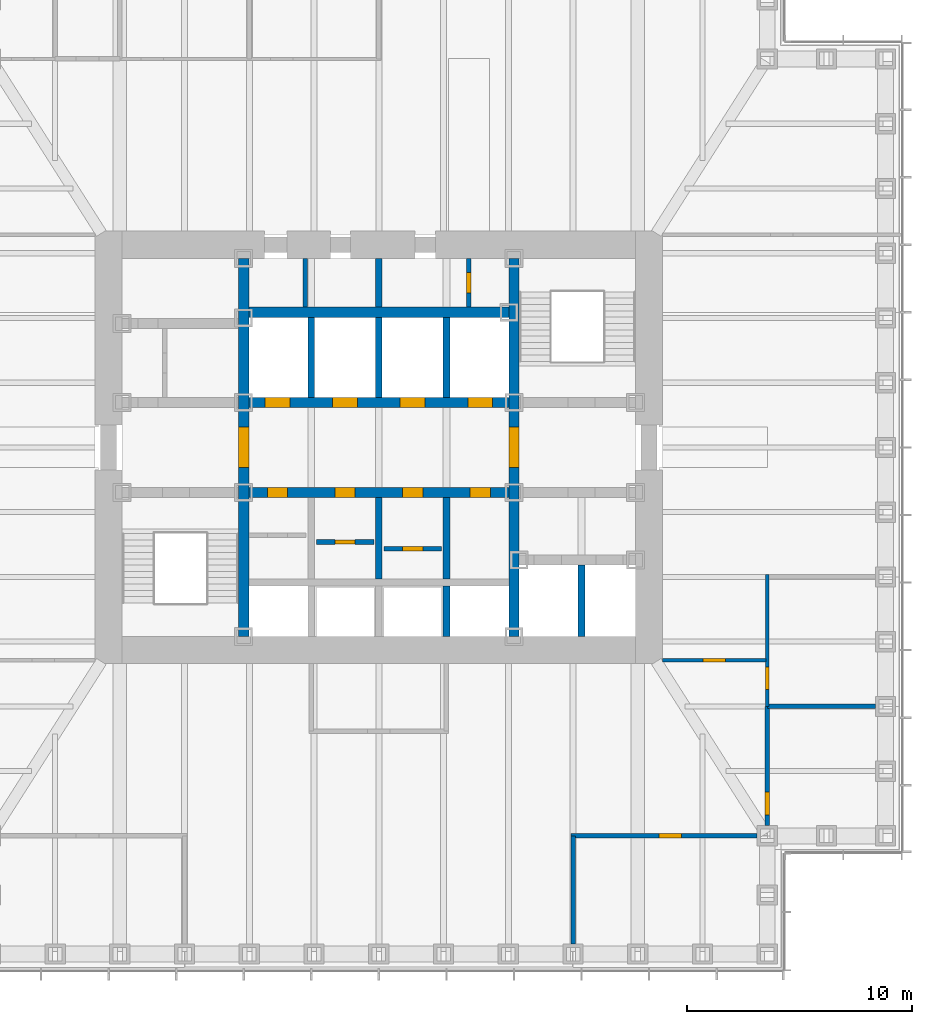
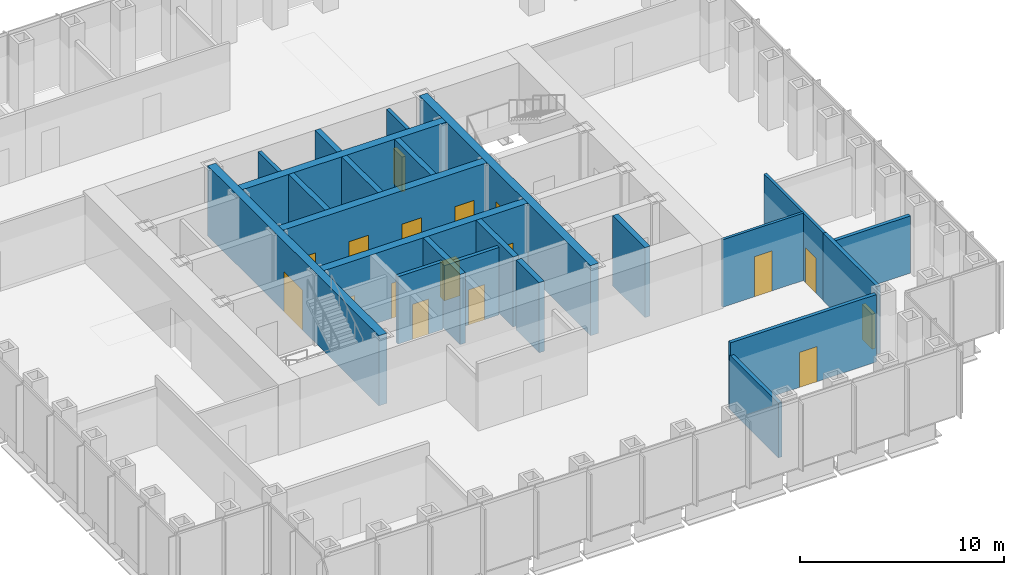
# One storey, part 9 of 16: 23 walls, 17 doors, 17 openings.
"""IFC4 building model written with IfcOpenShell, lengths in metres."""

from ifc_helpers import new_model, si_unit, direction, frame, frame_2d, origin, place, context, subcontext, project, spatial, rectangle, extrude, material, layer, layer_set, type_object, element, fill, save


model = new_model("IFC4")

# Units and contexts
model_context = context("Model", 3, precision=1e-05, world=origin(), true_north=direction((0.0, 1.0)))
body_context = subcontext(model_context, "Body", "Model", "MODEL_VIEW")
ifc_project = project(units=[si_unit("LENGTHUNIT", "METRE"), si_unit("AREAUNIT", "SQUARE_METRE"), si_unit("VOLUMEUNIT", "CUBIC_METRE"), si_unit("PLANEANGLEUNIT", "RADIAN"), si_unit("MASSUNIT", "GRAM", prefix="KILO")], contexts=[model_context])

# Site, building, storey
site_placement = place(None, origin())
site = spatial("IfcSite", under=ifc_project, at=site_placement, CompositionType="ELEMENT")
building_placement = place(site_placement, origin())
building = spatial("IfcBuilding", under=site, at=building_placement, Name="Daluyong Arena Tower", CompositionType="ELEMENT")
storey_placement = place(building_placement, frame((0.0, 0.0, 133.300048828125)))
storey = spatial("IfcBuildingStorey", under=building, at=storey_placement, Name="L29", CompositionType="ELEMENT", Elevation=133.300048828125)

# Wall, opening, door
ifc_material_1 = material(Name="Concrete fc' 45 MPa", Category="concrete")
ifc_layer_1 = layer(ifc_material_1, 0.449951171875)
ifc_layer_set_1 = layer_set([ifc_layer_1], Name="Concrete fc' 45 MPa")
wall_type_1 = type_object("IfcWallType", Name="Core inner wall 450", PredefinedType="SHEAR", material=ifc_layer_set_1)
wall_1_placement = place(storey_placement, frame((50.0, 71.60009765625, 0.0), z_axis=(0.0, 0.0, 1.0), x_axis=(0.0, 1.0, 0.0)))
wall_1 = element("IfcWall", 1, at=wall_1_placement, inside=storey, type_object=wall_type_1, Name="core inner wall at L29", PredefinedType="SHEAR", context=body_context, shape_type="SweptSolid", body=[
    extrude(rectangle(XDim=16.7998046875, YDim=0.449951171875, at=frame_2d((8.39990234375, 0.0))), origin(), (0.0, 0.0, 1.0), 4.199951171875),
])
opening_1_placement = place(wall_1_placement, frame((7.5, 0.0, 0.0)))
opening_1 = element("IfcOpeningElement", 2, at=opening_1_placement, cuts=wall_1, Name="Opening 29019", PredefinedType="OPENING", context=body_context, shape_type="SweptSolid", body=[
    extrude(rectangle(XDim=1.800048828125, YDim=2.39990234375, at=frame_2d((0.89990234375, 1.199951171875))), frame((0.0, 0.23486328125, 0.0), z_axis=(0.0, -1.0, 0.0), x_axis=(1.0, 0.0, 0.0)), (0.0, 0.0, 1.0), 0.469970703125),
])
ifc_material_2 = material(Name="Steel door, fire rated", Category="steel")
door_type_1 = type_object("IfcDoorType", Name="Lift lobby opening door 1800", OperationType="DOUBLE_DOOR_SINGLE_SWING", PredefinedType="DOOR", material=ifc_material_2)
door_1_placement = place(opening_1_placement, origin())
door_1 = element("IfcDoor", 3, at=door_1_placement, inside=storey, type_object=door_type_1, Name="lift lobby door west 29019", OperationType="DOUBLE_DOOR_SINGLE_SWING", OverallHeight=2.39990234375, OverallWidth=1.800048828125, PredefinedType="DOOR", context=body_context, shape_type="SweptSolid", body=[
    extrude(rectangle(XDim=1.800048828125, YDim=2.39990234375, at=frame_2d((0.89990234375, 1.199951171875))), frame((0.0, 0.224609375, 0.0), z_axis=(0.0, -1.0, 0.0), x_axis=(1.0, 0.0, 0.0)), (0.0, 0.0, 1.0), 0.449462890625),
])
fill(opening_1, door_1)

wall_2_placement = place(storey_placement, frame((62.0, 71.60009765625, 0.0), z_axis=(0.0, 0.0, 1.0), x_axis=(0.0, 1.0, 0.0)))
wall_2 = element("IfcWall", 4, at=wall_2_placement, inside=storey, type_object=wall_type_1, Name="core inner wall at L29", PredefinedType="SHEAR", context=body_context, shape_type="SweptSolid", body=[
    extrude(rectangle(XDim=16.7998046875, YDim=0.449951171875, at=frame_2d((8.39990234375, 0.0))), origin(), (0.0, 0.0, 1.0), 4.199951171875),
])
opening_2_placement = place(wall_2_placement, frame((7.5, 0.0, 0.0)))
opening_2 = element("IfcOpeningElement", 5, at=opening_2_placement, cuts=wall_2, Name="Opening 29020", PredefinedType="OPENING", context=body_context, shape_type="SweptSolid", body=[
    extrude(rectangle(XDim=1.800048828125, YDim=2.39990234375, at=frame_2d((0.89990234375, 1.199951171875))), frame((0.0, 0.23486328125, 0.0), z_axis=(0.0, -1.0, 0.0), x_axis=(1.0, 0.0, 0.0)), (0.0, 0.0, 1.0), 0.469970703125),
])
door_2_placement = place(opening_2_placement, origin())
door_2 = element("IfcDoor", 6, at=door_2_placement, inside=storey, type_object=door_type_1, Name="lift lobby door east 29020", OperationType="DOUBLE_DOOR_SINGLE_SWING", OverallHeight=2.39990234375, OverallWidth=1.800048828125, PredefinedType="DOOR", context=body_context, shape_type="SweptSolid", body=[
    extrude(rectangle(XDim=1.800048828125, YDim=2.39990234375, at=frame_2d((0.89990234375, 1.199951171875))), frame((0.0, 0.224609375, 0.0), z_axis=(0.0, -1.0, 0.0), x_axis=(1.0, 0.0, 0.0)), (0.0, 0.0, 1.0), 0.449462890625),
])
fill(opening_2, door_2)

# Wall, openings, doors
wall_3_placement = place(storey_placement, frame((50.22509765625, 78.0, 0.0), z_axis=(0.0, 0.0, 1.0), x_axis=(1.0, 0.0, 0.0)))
wall_3 = element("IfcWall", 7, at=wall_3_placement, inside=storey, type_object=wall_type_1, Name="core inner wall at L29", PredefinedType="SHEAR", context=body_context, shape_type="SweptSolid", body=[
    extrude(rectangle(XDim=11.5498046875, YDim=0.449951171875, at=frame_2d((5.77490234375, 0.0))), origin(), (0.0, 0.0, 1.0), 4.199951171875),
])
opening_3_placement = place(wall_3_placement, frame((0.824951171875, 0.0, 0.0)))
opening_3 = element("IfcOpeningElement", 8, at=opening_3_placement, cuts=wall_3, Name="Opening 29008", PredefinedType="OPENING", context=body_context, shape_type="SweptSolid", body=[
    extrude(rectangle(XDim=0.89990234375, YDim=2.10009765625, at=frame_2d((0.449951171875, 1.050048828125))), frame((0.0, 0.23486328125, 0.0), z_axis=(0.0, -1.0, 0.0), x_axis=(1.0, 0.0, 0.0)), (0.0, 0.0, 1.0), 0.469970703125),
])
opening_4_placement = place(wall_3_placement, frame((3.824951171875, 0.0, 0.0)))
opening_4 = element("IfcOpeningElement", 9, at=opening_4_placement, cuts=wall_3, Name="Opening 29010", PredefinedType="OPENING", context=body_context, shape_type="SweptSolid", body=[
    extrude(rectangle(XDim=0.89990234375, YDim=2.10009765625, at=frame_2d((0.449951171875, 1.050048828125))), frame((0.0, 0.23486328125, 0.0), z_axis=(0.0, -1.0, 0.0), x_axis=(1.0, 0.0, 0.0)), (0.0, 0.0, 1.0), 0.469970703125),
])
opening_5_placement = place(wall_3_placement, frame((6.824951171875, 0.0, 0.0)))
opening_5 = element("IfcOpeningElement", 10, at=opening_5_placement, cuts=wall_3, Name="Opening 29012", PredefinedType="OPENING", context=body_context, shape_type="SweptSolid", body=[
    extrude(rectangle(XDim=0.89990234375, YDim=2.10009765625, at=frame_2d((0.449951171875, 1.050048828125))), frame((0.0, 0.23486328125, 0.0), z_axis=(0.0, -1.0, 0.0), x_axis=(1.0, 0.0, 0.0)), (0.0, 0.0, 1.0), 0.469970703125),
])
opening_6_placement = place(wall_3_placement, frame((9.824951171875, 0.0, 0.0)))
opening_6 = element("IfcOpeningElement", 11, at=opening_6_placement, cuts=wall_3, Name="Opening 29014", PredefinedType="OPENING", context=body_context, shape_type="SweptSolid", body=[
    extrude(rectangle(XDim=0.89990234375, YDim=2.10009765625, at=frame_2d((0.449951171875, 1.050048828125))), frame((0.0, 0.23486328125, 0.0), z_axis=(0.0, -1.0, 0.0), x_axis=(1.0, 0.0, 0.0)), (0.0, 0.0, 1.0), 0.469970703125),
])
ifc_material_3 = material(Name="Steel door, fire rated", Category="steel")
door_type_2 = type_object("IfcDoorType", Name="Core room door 900", OperationType="SINGLE_SWING_LEFT", PredefinedType="DOOR", material=ifc_material_3)
door_3_placement = place(opening_6_placement, origin())
door_3 = element("IfcDoor", 12, at=door_3_placement, inside=storey, type_object=door_type_2, Name="mail room door 29014", OperationType="SINGLE_SWING_LEFT", OverallHeight=2.10009765625, OverallWidth=0.89990234375, PredefinedType="DOOR", context=body_context, shape_type="SweptSolid", body=[
    extrude(rectangle(XDim=0.89990234375, YDim=2.10009765625, at=frame_2d((0.449951171875, 1.050048828125))), frame((0.0, 0.224609375, 0.0), z_axis=(0.0, -1.0, 0.0), x_axis=(1.0, 0.0, 0.0)), (0.0, 0.0, 1.0), 0.449462890625),
])
fill(opening_6, door_3)
ifc_material_4 = material(Name="Steel door, fire rated", Category="steel")
door_type_3 = type_object("IfcDoorType", Name="Core store door 900", OperationType="SINGLE_SWING_LEFT", PredefinedType="DOOR", material=ifc_material_4)
door_4_placement = place(opening_3_placement, origin())
door_4 = element("IfcDoor", 13, at=door_4_placement, inside=storey, type_object=door_type_3, Name="furniture store door 29008", OperationType="SINGLE_SWING_LEFT", OverallHeight=2.10009765625, OverallWidth=0.89990234375, PredefinedType="DOOR", context=body_context, shape_type="SweptSolid", body=[
    extrude(rectangle(XDim=0.89990234375, YDim=2.10009765625, at=frame_2d((0.449951171875, 1.050048828125))), frame((0.0, 0.224609375, 0.0), z_axis=(0.0, -1.0, 0.0), x_axis=(1.0, 0.0, 0.0)), (0.0, 0.0, 1.0), 0.449462890625),
])
fill(opening_3, door_4)
door_5_placement = place(opening_4_placement, origin())
door_5 = element("IfcDoor", 14, at=door_5_placement, inside=storey, type_object=door_type_3, Name="facilities store door 29010", OperationType="SINGLE_SWING_LEFT", OverallHeight=2.10009765625, OverallWidth=0.89990234375, PredefinedType="DOOR", context=body_context, shape_type="SweptSolid", body=[
    extrude(rectangle(XDim=0.89990234375, YDim=2.10009765625, at=frame_2d((0.449951171875, 1.050048828125))), frame((0.0, 0.224609375, 0.0), z_axis=(0.0, -1.0, 0.0), x_axis=(1.0, 0.0, 0.0)), (0.0, 0.0, 1.0), 0.449462890625),
])
fill(opening_4, door_5)
door_6_placement = place(opening_5_placement, origin())
door_6 = element("IfcDoor", 15, at=door_6_placement, inside=storey, type_object=door_type_3, Name="stationery store door 29012", OperationType="SINGLE_SWING_LEFT", OverallHeight=2.10009765625, OverallWidth=0.89990234375, PredefinedType="DOOR", context=body_context, shape_type="SweptSolid", body=[
    extrude(rectangle(XDim=0.89990234375, YDim=2.10009765625, at=frame_2d((0.449951171875, 1.050048828125))), frame((0.0, 0.224609375, 0.0), z_axis=(0.0, -1.0, 0.0), x_axis=(1.0, 0.0, 0.0)), (0.0, 0.0, 1.0), 0.449462890625),
])
fill(opening_5, door_6)

wall_4_placement = place(storey_placement, frame((50.22509765625, 82.0, 0.0), z_axis=(0.0, 0.0, 1.0), x_axis=(1.0, 0.0, 0.0)))
wall_4 = element("IfcWall", 16, at=wall_4_placement, inside=storey, type_object=wall_type_1, Name="core inner wall at L29", PredefinedType="SHEAR", context=body_context, shape_type="SweptSolid", body=[
    extrude(rectangle(XDim=11.5498046875, YDim=0.449951171875, at=frame_2d((5.77490234375, 0.0))), origin(), (0.0, 0.0, 1.0), 4.199951171875),
])
opening_7_placement = place(wall_4_placement, frame((0.72509765625, 0.0, 0.0)))
opening_7 = element("IfcOpeningElement", 17, at=opening_7_placement, cuts=wall_4, Name="Opening 29022", PredefinedType="OPENING", context=body_context, shape_type="SweptSolid", body=[
    extrude(rectangle(XDim=1.10009765625, YDim=2.199951171875, at=frame_2d((0.550048828125, 1.10009765625))), frame((0.0, 0.23486328125, 0.0), z_axis=(0.0, -1.0, 0.0), x_axis=(1.0, 0.0, 0.0)), (0.0, 0.0, 1.0), 0.469970703125),
])
opening_8_placement = place(wall_4_placement, frame((3.72509765625, 0.0, 0.0)))
opening_8 = element("IfcOpeningElement", 18, at=opening_8_placement, cuts=wall_4, Name="Opening 29023", PredefinedType="OPENING", context=body_context, shape_type="SweptSolid", body=[
    extrude(rectangle(XDim=1.10009765625, YDim=2.199951171875, at=frame_2d((0.550048828125, 1.10009765625))), frame((0.0, 0.23486328125, 0.0), z_axis=(0.0, -1.0, 0.0), x_axis=(1.0, 0.0, 0.0)), (0.0, 0.0, 1.0), 0.469970703125),
])
opening_9_placement = place(wall_4_placement, frame((6.72509765625, 0.0, 0.0)))
opening_9 = element("IfcOpeningElement", 19, at=opening_9_placement, cuts=wall_4, Name="Opening 29024", PredefinedType="OPENING", context=body_context, shape_type="SweptSolid", body=[
    extrude(rectangle(XDim=1.10009765625, YDim=2.199951171875, at=frame_2d((0.550048828125, 1.10009765625))), frame((0.0, 0.23486328125, 0.0), z_axis=(0.0, -1.0, 0.0), x_axis=(1.0, 0.0, 0.0)), (0.0, 0.0, 1.0), 0.469970703125),
])
opening_10_placement = place(wall_4_placement, frame((9.72509765625, 0.0, 0.0)))
opening_10 = element("IfcOpeningElement", 20, at=opening_10_placement, cuts=wall_4, Name="Opening 29025", PredefinedType="OPENING", context=body_context, shape_type="SweptSolid", body=[
    extrude(rectangle(XDim=1.10009765625, YDim=2.199951171875, at=frame_2d((0.550048828125, 1.10009765625))), frame((0.0, 0.23486328125, 0.0), z_axis=(0.0, -1.0, 0.0), x_axis=(1.0, 0.0, 0.0)), (0.0, 0.0, 1.0), 0.469970703125),
])
ifc_material_5 = material(Name="Steel door, fire rated", Category="steel")
door_type_4 = type_object("IfcDoorType", Name="Lift landing door 1100", OperationType="SLIDING_TO_LEFT", PredefinedType="DOOR", material=ifc_material_5)
door_7_placement = place(opening_7_placement, origin())
door_7 = element("IfcDoor", 21, at=door_7_placement, inside=storey, type_object=door_type_4, Name="lift landing door B1 29022", OperationType="SLIDING_TO_LEFT", OverallHeight=2.199951171875, OverallWidth=1.10009765625, PredefinedType="DOOR", context=body_context, shape_type="SweptSolid", body=[
    extrude(rectangle(XDim=1.10009765625, YDim=2.199951171875, at=frame_2d((0.550048828125, 1.10009765625))), frame((0.0, 0.224609375, 0.0), z_axis=(0.0, -1.0, 0.0), x_axis=(1.0, 0.0, 0.0)), (0.0, 0.0, 1.0), 0.449462890625),
])
fill(opening_7, door_7)
door_8_placement = place(opening_8_placement, origin())
door_8 = element("IfcDoor", 22, at=door_8_placement, inside=storey, type_object=door_type_4, Name="lift landing door B2 29023", OperationType="SLIDING_TO_LEFT", OverallHeight=2.199951171875, OverallWidth=1.10009765625, PredefinedType="DOOR", context=body_context, shape_type="SweptSolid", body=[
    extrude(rectangle(XDim=1.10009765625, YDim=2.199951171875, at=frame_2d((0.550048828125, 1.10009765625))), frame((0.0, 0.224609375, 0.0), z_axis=(0.0, -1.0, 0.0), x_axis=(1.0, 0.0, 0.0)), (0.0, 0.0, 1.0), 0.449462890625),
])
fill(opening_8, door_8)
door_9_placement = place(opening_9_placement, origin())
door_9 = element("IfcDoor", 23, at=door_9_placement, inside=storey, type_object=door_type_4, Name="lift landing door B3 29024", OperationType="SLIDING_TO_LEFT", OverallHeight=2.199951171875, OverallWidth=1.10009765625, PredefinedType="DOOR", context=body_context, shape_type="SweptSolid", body=[
    extrude(rectangle(XDim=1.10009765625, YDim=2.199951171875, at=frame_2d((0.550048828125, 1.10009765625))), frame((0.0, 0.224609375, 0.0), z_axis=(0.0, -1.0, 0.0), x_axis=(1.0, 0.0, 0.0)), (0.0, 0.0, 1.0), 0.449462890625),
])
fill(opening_9, door_9)
door_10_placement = place(opening_10_placement, origin())
door_10 = element("IfcDoor", 24, at=door_10_placement, inside=storey, type_object=door_type_4, Name="lift landing door B4 29025", OperationType="SLIDING_TO_LEFT", OverallHeight=2.199951171875, OverallWidth=1.10009765625, PredefinedType="DOOR", context=body_context, shape_type="SweptSolid", body=[
    extrude(rectangle(XDim=1.10009765625, YDim=2.199951171875, at=frame_2d((0.550048828125, 1.10009765625))), frame((0.0, 0.224609375, 0.0), z_axis=(0.0, -1.0, 0.0), x_axis=(1.0, 0.0, 0.0)), (0.0, 0.0, 1.0), 0.449462890625),
])
fill(opening_10, door_10)

# Walls
wall_5_placement = place(storey_placement, frame((50.22509765625, 86.0, 0.0), z_axis=(0.0, 0.0, 1.0), x_axis=(1.0, 0.0, 0.0)))
element("IfcWall", 25, at=wall_5_placement, inside=storey, type_object=wall_type_1, Name="core inner wall at L29", PredefinedType="SHEAR", context=body_context, shape_type="SweptSolid", body=[
    extrude(rectangle(XDim=11.5498046875, YDim=0.449951171875, at=frame_2d((5.77490234375, 0.0))), origin(), (0.0, 0.0, 1.0), 4.199951171875),
])
ifc_material_6 = material(Name="Concrete block partition, fire rated", Category="concrete")
ifc_layer_2 = layer(ifc_material_6, 0.199951171875)
ifc_layer_set_2 = layer_set([ifc_layer_2], Name="Concrete block partition, fire rated")
wall_type_2 = type_object("IfcWallType", Name="Fire-rated partition 200", PredefinedType="PARTITIONING", material=ifc_layer_set_2)
wall_6_placement = place(storey_placement, frame((52.72509765625, 86.22509765625, 0.0), z_axis=(0.0, 0.0, 1.0), x_axis=(0.0, 1.0, 0.0)))
element("IfcWall", 26, at=wall_6_placement, inside=storey, type_object=wall_type_2, Name="core room partition at L29", PredefinedType="PARTITIONING", context=body_context, shape_type="SweptSolid", body=[
    extrude(rectangle(XDim=2.1748046875, YDim=0.199951171875, at=frame_2d((1.08740234375, 0.0))), origin(), (0.0, 0.0, 1.0), 4.0400390625),
])

# Wall, opening, door
wall_7_placement = place(storey_placement, frame((60.0, 86.22509765625, 0.0), z_axis=(0.0, 0.0, 1.0), x_axis=(0.0, 1.0, 0.0)))
wall_7 = element("IfcWall", 27, at=wall_7_placement, inside=storey, type_object=wall_type_2, Name="electrical riser enclosure at L29", PredefinedType="PARTITIONING", context=body_context, shape_type="SweptSolid", body=[
    extrude(rectangle(XDim=2.1748046875, YDim=0.199951171875, at=frame_2d((1.08740234375, 0.0))), origin(), (0.0, 0.0, 1.0), 4.0400390625),
])
opening_11_placement = place(wall_7_placement, frame((0.637451171875, 0.0, 0.0)))
opening_11 = element("IfcOpeningElement", 28, at=opening_11_placement, cuts=wall_7, Name="Opening 29007", PredefinedType="OPENING", context=body_context, shape_type="SweptSolid", body=[
    extrude(rectangle(XDim=0.89990234375, YDim=2.10009765625, at=frame_2d((0.449951171875, 1.050048828125))), frame((0.0, 0.10986328125, 0.0), z_axis=(0.0, -1.0, 0.0), x_axis=(1.0, 0.0, 0.0)), (0.0, 0.0, 1.0), 0.219970703125),
])
ifc_material_7 = material(Name="Steel door, fire rated", Category="steel")
door_type_5 = type_object("IfcDoorType", Name="Riser door 900", OperationType="SINGLE_SWING_LEFT", PredefinedType="DOOR", material=ifc_material_7)
door_11_placement = place(opening_11_placement, origin())
door_11 = element("IfcDoor", 29, at=door_11_placement, inside=storey, type_object=door_type_5, Name="riser door 29007", OperationType="SINGLE_SWING_LEFT", OverallHeight=2.10009765625, OverallWidth=0.89990234375, PredefinedType="DOOR", context=body_context, shape_type="SweptSolid", body=[
    extrude(rectangle(XDim=0.89990234375, YDim=2.10009765625, at=frame_2d((0.449951171875, 1.050048828125))), frame((0.0, 0.099609375, 0.0), z_axis=(0.0, -1.0, 0.0), x_axis=(1.0, 0.0, 0.0)), (0.0, 0.0, 1.0), 0.199462890625),
])
fill(opening_11, door_11)

wall_8_placement = place(storey_placement, frame((53.22509765625, 75.800048828125, 0.0), z_axis=(0.0, 0.0, 1.0), x_axis=(1.0, 0.0, 0.0)))
wall_8 = element("IfcWall", 30, at=wall_8_placement, inside=storey, type_object=wall_type_2, Name="back store partition at L29", PredefinedType="PARTITIONING", context=body_context, shape_type="SweptSolid", body=[
    extrude(rectangle(XDim=2.5498046875, YDim=0.199951171875, at=frame_2d((1.27490234375, 0.0))), origin(), (0.0, 0.0, 1.0), 4.0400390625),
])
opening_12_placement = place(wall_8_placement, frame((0.824951171875, 0.0, 0.0)))
opening_12 = element("IfcOpeningElement", 31, at=opening_12_placement, cuts=wall_8, Name="Opening 29011", PredefinedType="OPENING", context=body_context, shape_type="SweptSolid", body=[
    extrude(rectangle(XDim=0.89990234375, YDim=2.10009765625, at=frame_2d((0.449951171875, 1.050048828125))), frame((0.0, 0.10986328125, 0.0), z_axis=(0.0, -1.0, 0.0), x_axis=(1.0, 0.0, 0.0)), (0.0, 0.0, 1.0), 0.219970703125),
])
door_12_placement = place(opening_12_placement, origin())
door_12 = element("IfcDoor", 32, at=door_12_placement, inside=storey, type_object=door_type_3, Name="cleaner's store door 29011", OperationType="SINGLE_SWING_LEFT", OverallHeight=2.10009765625, OverallWidth=0.89990234375, PredefinedType="DOOR", context=body_context, shape_type="SweptSolid", body=[
    extrude(rectangle(XDim=0.89990234375, YDim=2.10009765625, at=frame_2d((0.449951171875, 1.050048828125))), frame((0.0, 0.099609375, 0.0), z_axis=(0.0, -1.0, 0.0), x_axis=(1.0, 0.0, 0.0)), (0.0, 0.0, 1.0), 0.199462890625),
])
fill(opening_12, door_12)

wall_9_placement = place(storey_placement, frame((56.22509765625, 75.5, 0.0), z_axis=(0.0, 0.0, 1.0), x_axis=(1.0, 0.0, 0.0)))
wall_9 = element("IfcWall", 33, at=wall_9_placement, inside=storey, type_object=wall_type_2, Name="back store partition at L29", PredefinedType="PARTITIONING", context=body_context, shape_type="SweptSolid", body=[
    extrude(rectangle(XDim=2.5498046875, YDim=0.199951171875, at=frame_2d((1.27490234375, 0.0))), origin(), (0.0, 0.0, 1.0), 4.0400390625),
])
opening_13_placement = place(wall_9_placement, frame((0.824951171875, 0.0, 0.0)))
opening_13 = element("IfcOpeningElement", 34, at=opening_13_placement, cuts=wall_9, Name="Opening 29013", PredefinedType="OPENING", context=body_context, shape_type="SweptSolid", body=[
    extrude(rectangle(XDim=0.89990234375, YDim=2.10009765625, at=frame_2d((0.449951171875, 1.050048828125))), frame((0.0, 0.10986328125, 0.0), z_axis=(0.0, -1.0, 0.0), x_axis=(1.0, 0.0, 0.0)), (0.0, 0.0, 1.0), 0.219970703125),
])
door_13_placement = place(opening_13_placement, origin())
door_13 = element("IfcDoor", 35, at=door_13_placement, inside=storey, type_object=door_type_3, Name="archive store door 29013", OperationType="SINGLE_SWING_LEFT", OverallHeight=2.10009765625, OverallWidth=0.89990234375, PredefinedType="DOOR", context=body_context, shape_type="SweptSolid", body=[
    extrude(rectangle(XDim=0.89990234375, YDim=2.10009765625, at=frame_2d((0.449951171875, 1.050048828125))), frame((0.0, 0.099609375, 0.0), z_axis=(0.0, -1.0, 0.0), x_axis=(1.0, 0.0, 0.0)), (0.0, 0.0, 1.0), 0.199462890625),
])
fill(opening_13, door_13)

ifc_material_8 = material(Name="Glazed aluminium partition", Category="aluminium")
ifc_layer_3 = layer(ifc_material_8, 0.14990234375)
ifc_layer_set_3 = layer_set([ifc_layer_3], Name="Glazed aluminium partition")
wall_type_3 = type_object("IfcWallType", Name="Glazed partition 150", PredefinedType="PARTITIONING", material=ifc_layer_set_3)
wall_10_placement = place(storey_placement, frame((68.60009765625, 70.550048828125, 0.0), z_axis=(0.0, 0.0, 1.0), x_axis=(1.0, 0.0, 0.0)))
wall_10 = element("IfcWall", 36, at=wall_10_placement, inside=storey, type_object=wall_type_3, Name="glazed partition at L29", PredefinedType="PARTITIONING", context=body_context, shape_type="SweptSolid", body=[
    extrude(rectangle(XDim=4.599853515625, YDim=0.14990234375, at=frame_2d((2.2998046875, 0.0))), origin(), (0.0, 0.0, 1.0), 4.0400390625),
])
opening_14_placement = place(wall_10_placement, frame((1.800048828125, 0.0, 0.0)))
opening_14 = element("IfcOpeningElement", 37, at=opening_14_placement, cuts=wall_10, Name="Opening 29041", PredefinedType="OPENING", context=body_context, shape_type="SweptSolid", body=[
    extrude(rectangle(XDim=1.0, YDim=2.39990234375, at=frame_2d((0.5, 1.199951171875))), frame((0.0, 0.0849609375, 0.0), z_axis=(0.0, -1.0, 0.0), x_axis=(1.0, 0.0, 0.0)), (0.0, 0.0, 1.0), 0.169921875),
])
ifc_material_9 = material(Name="Glazed aluminium door", Category="aluminium")
door_type_6 = type_object("IfcDoorType", Name="Meeting room glazed door 1000", OperationType="SINGLE_SWING_RIGHT", PredefinedType="DOOR", material=ifc_material_9)
door_14_placement = place(opening_14_placement, origin())
door_14 = element("IfcDoor", 38, at=door_14_placement, inside=storey, type_object=door_type_6, Name="team area screen door 29041", OperationType="SINGLE_SWING_RIGHT", OverallHeight=2.39990234375, OverallWidth=1.0, PredefinedType="DOOR", context=body_context, shape_type="SweptSolid", body=[
    extrude(rectangle(XDim=1.0, YDim=2.39990234375, at=frame_2d((0.5, 1.199951171875))), frame((0.0, 0.07470703125, 0.0), z_axis=(0.0, -1.0, 0.0), x_axis=(1.0, 0.0, 0.0)), (0.0, 0.0, 1.0), 0.1494140625),
])
fill(opening_14, door_14)

wall_11_placement = place(storey_placement, frame((73.25, 68.5, 0.0), z_axis=(0.0, 0.0, 1.0), x_axis=(0.0, 1.0, 0.0)))
wall_11 = element("IfcWall", 39, at=wall_11_placement, inside=storey, type_object=wall_type_3, Name="glazed partition at L29", PredefinedType="PARTITIONING", context=body_context, shape_type="SweptSolid", body=[
    extrude(rectangle(XDim=5.85009765625, YDim=0.14990234375, at=frame_2d((2.925048828125, 0.0))), origin(), (0.0, 0.0, 1.0), 4.0400390625),
])
opening_15_placement = place(wall_11_placement, frame((0.75, 0.0, 0.0)))
opening_15 = element("IfcOpeningElement", 40, at=opening_15_placement, cuts=wall_11, Name="Opening 29031", PredefinedType="OPENING", context=body_context, shape_type="SweptSolid", body=[
    extrude(rectangle(XDim=1.0, YDim=2.10009765625, at=frame_2d((0.5, 1.050048828125))), frame((0.0, 0.0849609375, 0.0), z_axis=(0.0, -1.0, 0.0), x_axis=(1.0, 0.0, 0.0)), (0.0, 0.0, 1.0), 0.169921875),
])
ifc_material_10 = material(Name="Timber door", Category="wood")
door_type_7 = type_object("IfcDoorType", Name="Room door 1000", OperationType="SINGLE_SWING_LEFT", PredefinedType="DOOR", material=ifc_material_10)
door_15_placement = place(opening_15_placement, origin())
door_15 = element("IfcDoor", 41, at=door_15_placement, inside=storey, type_object=door_type_7, Name="office door 29031", OperationType="SINGLE_SWING_LEFT", OverallHeight=2.10009765625, OverallWidth=1.0, PredefinedType="DOOR", context=body_context, shape_type="SweptSolid", body=[
    extrude(rectangle(XDim=1.0, YDim=2.10009765625, at=frame_2d((0.5, 1.050048828125))), frame((0.0, 0.07470703125, 0.0), z_axis=(0.0, -1.0, 0.0), x_axis=(1.0, 0.0, 0.0)), (0.0, 0.0, 1.0), 0.1494140625),
])
fill(opening_15, door_15)

# Walls
ifc_material_11 = material(Name="Concrete fc' 45 MPa", Category="concrete")
ifc_layer_4 = layer(ifc_material_11, 0.300048828125)
ifc_layer_set_4 = layer_set([ifc_layer_4], Name="Concrete fc' 45 MPa")
wall_type_4 = type_object("IfcWallType", Name="Lift shaft wall 300", PredefinedType="SHEAR", material=ifc_layer_set_4)
wall_12_placement = place(storey_placement, frame((53.0, 82.22509765625, 0.0), z_axis=(0.0, 0.0, 1.0), x_axis=(0.0, 1.0, 0.0)))
element("IfcWall", 42, at=wall_12_placement, inside=storey, type_object=wall_type_4, Name="lift shaft wall at L29", PredefinedType="SHEAR", context=body_context, shape_type="SweptSolid", body=[
    extrude(rectangle(XDim=3.5498046875, YDim=0.300048828125, at=frame_2d((1.77490234375, 0.0))), origin(), (0.0, 0.0, 1.0), 4.199951171875),
])
wall_13_placement = place(storey_placement, frame((56.0, 74.14990234375, 0.0), z_axis=(0.0, 0.0, 1.0), x_axis=(0.0, 1.0, 0.0)))
element("IfcWall", 43, at=wall_13_placement, inside=storey, type_object=wall_type_4, Name="lift shaft wall at L29", PredefinedType="SHEAR", context=body_context, shape_type="SweptSolid", body=[
    extrude(rectangle(XDim=3.625, YDim=0.300048828125, at=frame_2d((1.8125, 0.0))), origin(), (0.0, 0.0, 1.0), 4.199951171875),
])
wall_14_placement = place(storey_placement, frame((56.0, 82.22509765625, 0.0), z_axis=(0.0, 0.0, 1.0), x_axis=(0.0, 1.0, 0.0)))
element("IfcWall", 44, at=wall_14_placement, inside=storey, type_object=wall_type_4, Name="lift shaft wall at L29", PredefinedType="SHEAR", context=body_context, shape_type="SweptSolid", body=[
    extrude(rectangle(XDim=3.5498046875, YDim=0.300048828125, at=frame_2d((1.77490234375, 0.0))), origin(), (0.0, 0.0, 1.0), 4.199951171875),
])
wall_15_placement = place(storey_placement, frame((59.0, 71.60009765625, 0.0), z_axis=(0.0, 0.0, 1.0), x_axis=(0.0, 1.0, 0.0)))
element("IfcWall", 45, at=wall_15_placement, inside=storey, type_object=wall_type_4, Name="lift shaft wall at L29", PredefinedType="SHEAR", context=body_context, shape_type="SweptSolid", body=[
    extrude(rectangle(XDim=2.25, YDim=0.300048828125, at=frame_2d((1.125, 0.0))), origin(), (0.0, 0.0, 1.0), 4.199951171875),
])
wall_16_placement = place(storey_placement, frame((59.0, 74.14990234375, 0.0), z_axis=(0.0, 0.0, 1.0), x_axis=(0.0, 1.0, 0.0)))
element("IfcWall", 46, at=wall_16_placement, inside=storey, type_object=wall_type_4, Name="lift shaft wall at L29", PredefinedType="SHEAR", context=body_context, shape_type="SweptSolid", body=[
    extrude(rectangle(XDim=3.625, YDim=0.300048828125, at=frame_2d((1.8125, 0.0))), origin(), (0.0, 0.0, 1.0), 4.199951171875),
])
wall_17_placement = place(storey_placement, frame((59.0, 82.22509765625, 0.0), z_axis=(0.0, 0.0, 1.0), x_axis=(0.0, 1.0, 0.0)))
element("IfcWall", 47, at=wall_17_placement, inside=storey, type_object=wall_type_4, Name="lift shaft wall at L29", PredefinedType="SHEAR", context=body_context, shape_type="SweptSolid", body=[
    extrude(rectangle(XDim=3.5498046875, YDim=0.300048828125, at=frame_2d((1.77490234375, 0.0))), origin(), (0.0, 0.0, 1.0), 4.199951171875),
])
wall_18_placement = place(storey_placement, frame((65.0, 71.60009765625, 0.0), z_axis=(0.0, 0.0, 1.0), x_axis=(0.0, 1.0, 0.0)))
element("IfcWall", 48, at=wall_18_placement, inside=storey, type_object=wall_type_4, Name="lift shaft wall at L29", PredefinedType="SHEAR", context=body_context, shape_type="SweptSolid", body=[
    extrude(rectangle(XDim=3.1748046875, YDim=0.300048828125, at=frame_2d((1.58740234375, 0.0))), origin(), (0.0, 0.0, 1.0), 4.199951171875),
])
wall_19_placement = place(storey_placement, frame((56.0, 86.22509765625, 0.0), z_axis=(0.0, 0.0, 1.0), x_axis=(0.0, 1.0, 0.0)))
element("IfcWall", 49, at=wall_19_placement, inside=storey, type_object=wall_type_4, Name="lift shaft wall at L29", PredefinedType="SHEAR", context=body_context, shape_type="SweptSolid", body=[
    extrude(rectangle(XDim=2.1748046875, YDim=0.300048828125, at=frame_2d((1.08740234375, 0.0))), origin(), (0.0, 0.0, 1.0), 4.199951171875),
])
ifc_material_12 = material(Name="Concrete block partition", Category="concrete")
ifc_layer_5 = layer(ifc_material_12, 0.199951171875)
ifc_layer_set_5 = layer_set([ifc_layer_5], Name="Concrete block partition")
wall_type_5 = type_object("IfcWallType", Name="Partition 200", PredefinedType="PARTITIONING", material=ifc_layer_set_5)
wall_20_placement = place(storey_placement, frame((64.625, 57.949951171875, 0.0), z_axis=(0.0, 0.0, 1.0), x_axis=(0.0, 1.0, 0.0)))
element("IfcWall", 50, at=wall_20_placement, inside=storey, type_object=wall_type_5, Name="partition at L29", PredefinedType="PARTITIONING", context=body_context, shape_type="SweptSolid", body=[
    extrude(rectangle(XDim=4.800048828125, YDim=0.199951171875, at=frame_2d((2.39990234375, 0.0))), origin(), (0.0, 0.0, 1.0), 3.27783203125),
])
wall_21_placement = place(storey_placement, frame((73.25, 68.5, 0.0), z_axis=(0.0, 0.0, 1.0), x_axis=(1.0, 0.0, 0.0)))
element("IfcWall", 51, at=wall_21_placement, inside=storey, type_object=wall_type_5, Name="partition at L29", PredefinedType="PARTITIONING", context=body_context, shape_type="SweptSolid", body=[
    extrude(rectangle(XDim=4.800048828125, YDim=0.199951171875, at=frame_2d((2.39990234375, 0.0))), origin(), (0.0, 0.0, 1.0), 3.427734375),
])

# Wall, opening, door
wall_22_placement = place(storey_placement, frame((64.52490234375, 62.75, 0.0), z_axis=(0.0, 0.0, 1.0), x_axis=(1.0, 0.0, 0.0)))
wall_22 = element("IfcWall", 52, at=wall_22_placement, inside=storey, type_object=wall_type_5, Name="partition at L29", PredefinedType="PARTITIONING", context=body_context, shape_type="SweptSolid", body=[
    extrude(rectangle(XDim=8.275146484375, YDim=0.199951171875, at=frame_2d((4.1376953125, 0.0))), origin(), (0.0, 0.0, 1.0), 4.0400390625),
])
opening_16_placement = place(wall_22_placement, frame((3.91259765625, 0.0, 0.0)))
opening_16 = element("IfcOpeningElement", 53, at=opening_16_placement, cuts=wall_22, Name="Opening 29029", PredefinedType="OPENING", context=body_context, shape_type="SweptSolid", body=[
    extrude(rectangle(XDim=1.0, YDim=2.10009765625, at=frame_2d((0.5, 1.050048828125))), frame((0.0, 0.10986328125, 0.0), z_axis=(0.0, -1.0, 0.0), x_axis=(1.0, 0.0, 0.0)), (0.0, 0.0, 1.0), 0.219970703125),
])
door_16_placement = place(opening_16_placement, origin())
door_16 = element("IfcDoor", 54, at=door_16_placement, inside=storey, type_object=door_type_7, Name="training room door 29029", OperationType="SINGLE_SWING_LEFT", OverallHeight=2.10009765625, OverallWidth=1.0, PredefinedType="DOOR", context=body_context, shape_type="SweptSolid", body=[
    extrude(rectangle(XDim=1.0, YDim=2.10009765625, at=frame_2d((0.5, 1.050048828125))), frame((0.0, 0.099609375, 0.0), z_axis=(0.0, -1.0, 0.0), x_axis=(1.0, 0.0, 0.0)), (0.0, 0.0, 1.0), 0.199462890625),
])
fill(opening_16, door_16)

wall_23_placement = place(storey_placement, frame((73.25, 63.199951171875, 0.0), z_axis=(0.0, 0.0, 1.0), x_axis=(0.0, 1.0, 0.0)))
wall_23 = element("IfcWall", 55, at=wall_23_placement, inside=storey, type_object=wall_type_5, Name="partition at L29", PredefinedType="PARTITIONING", context=body_context, shape_type="SweptSolid", body=[
    extrude(rectangle(XDim=5.300048828125, YDim=0.199951171875, at=frame_2d((2.64990234375, 0.0))), origin(), (0.0, 0.0, 1.0), 4.0400390625),
])
opening_17_placement = place(wall_23_placement, frame((0.487548828125, 0.0, 0.0)))
opening_17 = element("IfcOpeningElement", 56, at=opening_17_placement, cuts=wall_23, Name="Opening 29030", PredefinedType="OPENING", context=body_context, shape_type="SweptSolid", body=[
    extrude(rectangle(XDim=1.0, YDim=2.10009765625, at=frame_2d((0.5, 1.050048828125))), frame((0.0, 0.10986328125, 0.0), z_axis=(0.0, -1.0, 0.0), x_axis=(1.0, 0.0, 0.0)), (0.0, 0.0, 1.0), 0.219970703125),
])
door_17_placement = place(opening_17_placement, origin())
door_17 = element("IfcDoor", 57, at=door_17_placement, inside=storey, type_object=door_type_7, Name="project room door 29030", OperationType="SINGLE_SWING_LEFT", OverallHeight=2.10009765625, OverallWidth=1.0, PredefinedType="DOOR", context=body_context, shape_type="SweptSolid", body=[
    extrude(rectangle(XDim=1.0, YDim=2.10009765625, at=frame_2d((0.5, 1.050048828125))), frame((0.0, 0.099609375, 0.0), z_axis=(0.0, -1.0, 0.0), x_axis=(1.0, 0.0, 0.0)), (0.0, 0.0, 1.0), 0.199462890625),
])
fill(opening_17, door_17)

save(model, "model.ifc")
